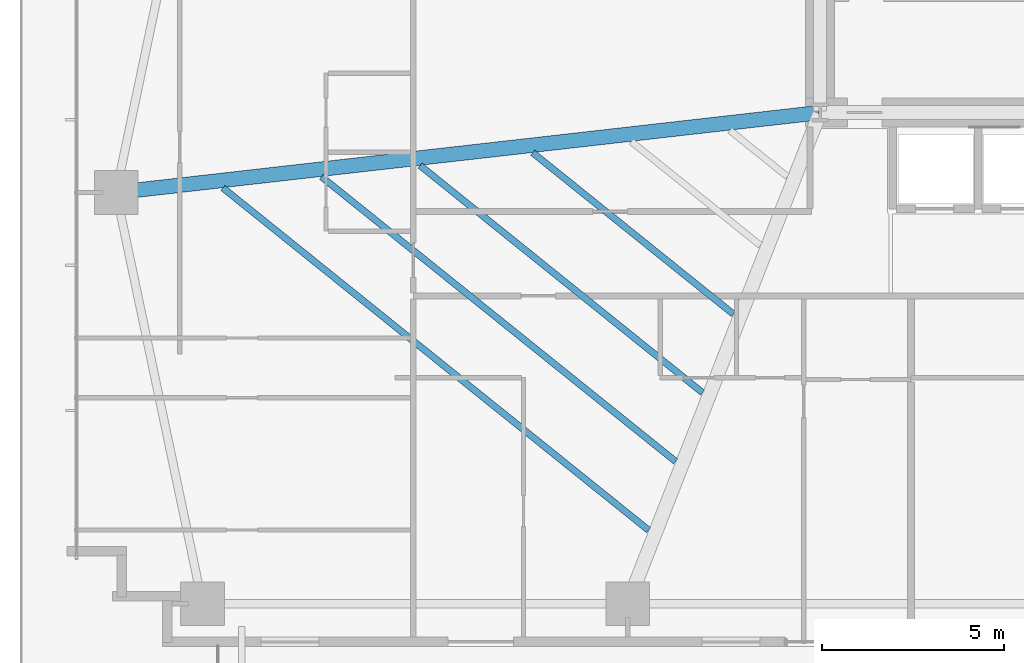
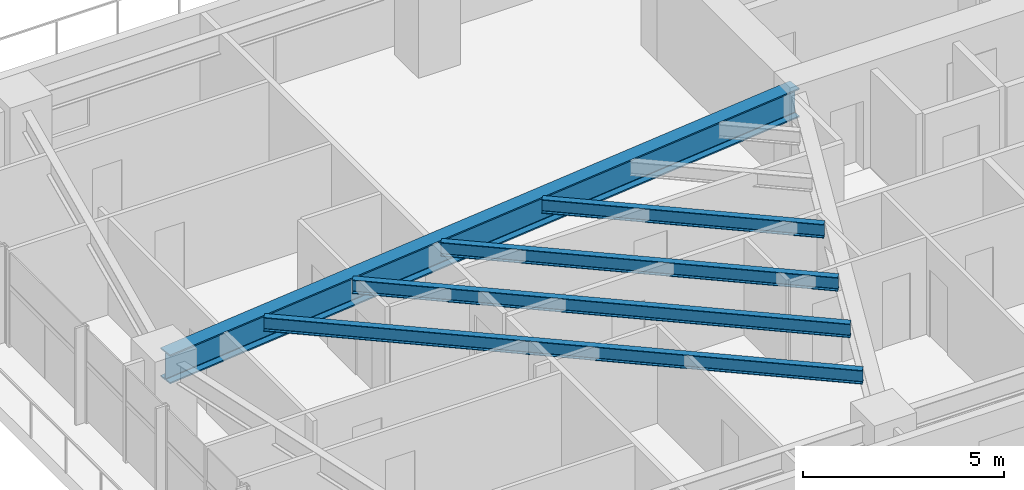
# One storey, part 5 of 26: 5 beams.
"""IFC4 building model written with IfcOpenShell, lengths in metres."""

from ifc_helpers import new_model, si_unit, direction, frame, origin, origin_2d, place, context, subcontext, project, spatial, i_section, extrude, source, transform, mapped, material, material_profile, profile_set, type_object, type_shapes, element, save


model = new_model("IFC4")

# Units and contexts
model_context = context("Model", 3, precision=1e-05, world=origin(), true_north=direction((0.0, 1.0)))
body_context = subcontext(model_context, "Body", "Model", "MODEL_VIEW")
ifc_project = project(units=[si_unit("LENGTHUNIT", "METRE"), si_unit("AREAUNIT", "SQUARE_METRE"), si_unit("VOLUMEUNIT", "CUBIC_METRE"), si_unit("PLANEANGLEUNIT", "RADIAN"), si_unit("MASSUNIT", "GRAM", prefix="KILO")], contexts=[model_context])

# Site, building, storey
site_placement = place(None, origin())
site = spatial("IfcSite", under=ifc_project, at=site_placement, CompositionType="ELEMENT")
building_placement = place(site_placement, origin())
building = spatial("IfcBuilding", under=site, at=building_placement, Name="Astriad Promenade Condominiums", CompositionType="ELEMENT")
storey_placement = place(building_placement, frame((0.0, 0.0, 23.0)))
storey = spatial("IfcBuildingStorey", under=building, at=storey_placement, Name="L05", CompositionType="ELEMENT", Elevation=23.0)

# Beams
ifc_material = material(Name="Steel ASTM A992 Grade 50", Category="steel")
ifc_material_profile_1 = material_profile(ifc_material, i_section(OverallWidth=0.4013671875, OverallDepth=0.877197265625, WebThickness=0.022216796875, FlangeThickness=0.039794921875, FilletRadius=0.02294921875, at=origin_2d()), Name="W33X263")
ifc_profile_set_1 = profile_set([ifc_material_profile_1], Name="Steel ASTM A992 Grade 50")
beam_type_1 = type_object("IfcBeamType", Name="STEEL PRIMARY GIRDER W33X263", PredefinedType="BEAM", material=ifc_profile_set_1)
shared_shape_1 = source(origin(), body_context, "Body", "SweptSolid", [
    extrude(i_section(OverallWidth=0.4013671875, OverallDepth=0.877197265625, WebThickness=0.022216796875, FlangeThickness=0.039794921875, FilletRadius=0.02294921875, at=origin_2d()), origin(), (0.0, 0.0, 1.0), 19.424560546875),
])
type_shapes(beam_type_1, [shared_shape_1])
beam_1_placement = place(storey_placement, frame((7.059814453125, 15.20458984375, 2.50146484375), z_axis=(0.993618675315, 0.11279152479, 0.0), x_axis=(-0.11279152479, 0.993618675315, 0.0)))
element("IfcBeam", 1, at=beam_1_placement, inside=storey, type_object=beam_type_1, Name="Primary Floor Girder PG-WM-L05", PredefinedType="BEAM", context=body_context, shape_type="MappedRepresentation", body=[
    mapped(shared_shape_1, transform((0.0, 0.0, 0.0), scale=1.0)),
])
ifc_material_profile_2 = material_profile(ifc_material, i_section(OverallWidth=0.180908203125, OverallDepth=0.417236328125, WebThickness=0.010986328125, FlangeThickness=0.018310546875, FilletRadius=0.013916015625, at=origin_2d()), Name="W16X57")
ifc_profile_set_2 = profile_set([ifc_material_profile_2], Name="Steel ASTM A992 Grade 50")
beam_type_2 = type_object("IfcBeamType", Name="STEEL FLOOR JOIST W16X57", PredefinedType="JOIST", material=ifc_profile_set_2)
shared_shape_2 = source(origin(), body_context, "Body", "SweptSolid", [
    extrude(i_section(OverallWidth=0.180908203125, OverallDepth=0.417236328125, WebThickness=0.010986328125, FlangeThickness=0.018310546875, FilletRadius=0.013916015625, at=origin_2d()), origin(), (0.0, 0.0, 1.0), 15.033447265625),
])
beam_2_placement = place(storey_placement, frame((9.961181640625, 15.32470703125, 2.7314453125), z_axis=(0.779353434302, -0.626584570862, 0.0), x_axis=(0.626584570862, 0.779353434302, 0.0)))
element("IfcBeam", 2, at=beam_2_placement, inside=storey, type_object=beam_type_2, Name="Secondary Composite Floor Joist JW1-1-L05", PredefinedType="JOIST", context=body_context, shape_type="MappedRepresentation", body=[
    mapped(shared_shape_2, transform((0.0, 0.0, 0.0), scale=1.0)),
])
shared_shape_3 = source(origin(), body_context, "Body", "SweptSolid", [
    extrude(i_section(OverallWidth=0.180908203125, OverallDepth=0.417236328125, WebThickness=0.010986328125, FlangeThickness=0.018310546875, FilletRadius=0.013916015625, at=origin_2d()), origin(), (0.0, 0.0, 1.0), 12.50439453125),
])
beam_3_placement = place(storey_placement, frame((12.67431640625, 15.6328125, 2.7314453125), z_axis=(0.77935791062, -0.626579003122, 0.0), x_axis=(0.626579003122, 0.77935791062, 0.0)))
element("IfcBeam", 3, at=beam_3_placement, inside=storey, type_object=beam_type_2, Name="Secondary Composite Floor Joist JW1-2-L05", PredefinedType="JOIST", context=body_context, shape_type="MappedRepresentation", body=[
    mapped(shared_shape_3, transform((0.0, 0.0, 0.0), scale=1.0)),
])
shared_shape_4 = source(origin(), body_context, "Body", "SweptSolid", [
    extrude(i_section(OverallWidth=0.180908203125, OverallDepth=0.417236328125, WebThickness=0.010986328125, FlangeThickness=0.018310546875, FilletRadius=0.013916015625, at=origin_2d()), origin(), (0.0, 0.0, 1.0), 9.97509765625),
])
beam_4_placement = place(storey_placement, frame((15.387451171875, 15.94091796875, 2.7314453125), z_axis=(0.779355047887, -0.626582563859, 0.0), x_axis=(0.626582563859, 0.779355047887, 0.0)))
element("IfcBeam", 4, at=beam_4_placement, inside=storey, type_object=beam_type_2, Name="Secondary Composite Floor Joist JW1-3-L05", PredefinedType="JOIST", context=body_context, shape_type="MappedRepresentation", body=[
    mapped(shared_shape_4, transform((0.0, 0.0, 0.0), scale=1.0)),
])
shared_shape_5 = source(origin(), body_context, "Body", "SweptSolid", [
    extrude(i_section(OverallWidth=0.180908203125, OverallDepth=0.417236328125, WebThickness=0.010986328125, FlangeThickness=0.018310546875, FilletRadius=0.013916015625, at=origin_2d()), origin(), (0.0, 0.0, 1.0), 7.08447265625),
])
type_shapes(beam_type_2, [shared_shape_2, shared_shape_3, shared_shape_4, shared_shape_5])
beam_5_placement = place(storey_placement, frame((18.48828125, 16.292724609375, 2.7314453125), z_axis=(0.779353562297, -0.62658441166, 0.0), x_axis=(0.62658441166, 0.779353562297, 0.0)))
element("IfcBeam", 5, at=beam_5_placement, inside=storey, type_object=beam_type_2, Name="Secondary Composite Floor Joist JW1-4-L05", PredefinedType="JOIST", context=body_context, shape_type="MappedRepresentation", body=[
    mapped(shared_shape_5, transform((0.0, 0.0, 0.0), scale=1.0)),
])

save(model, "model.ifc")
